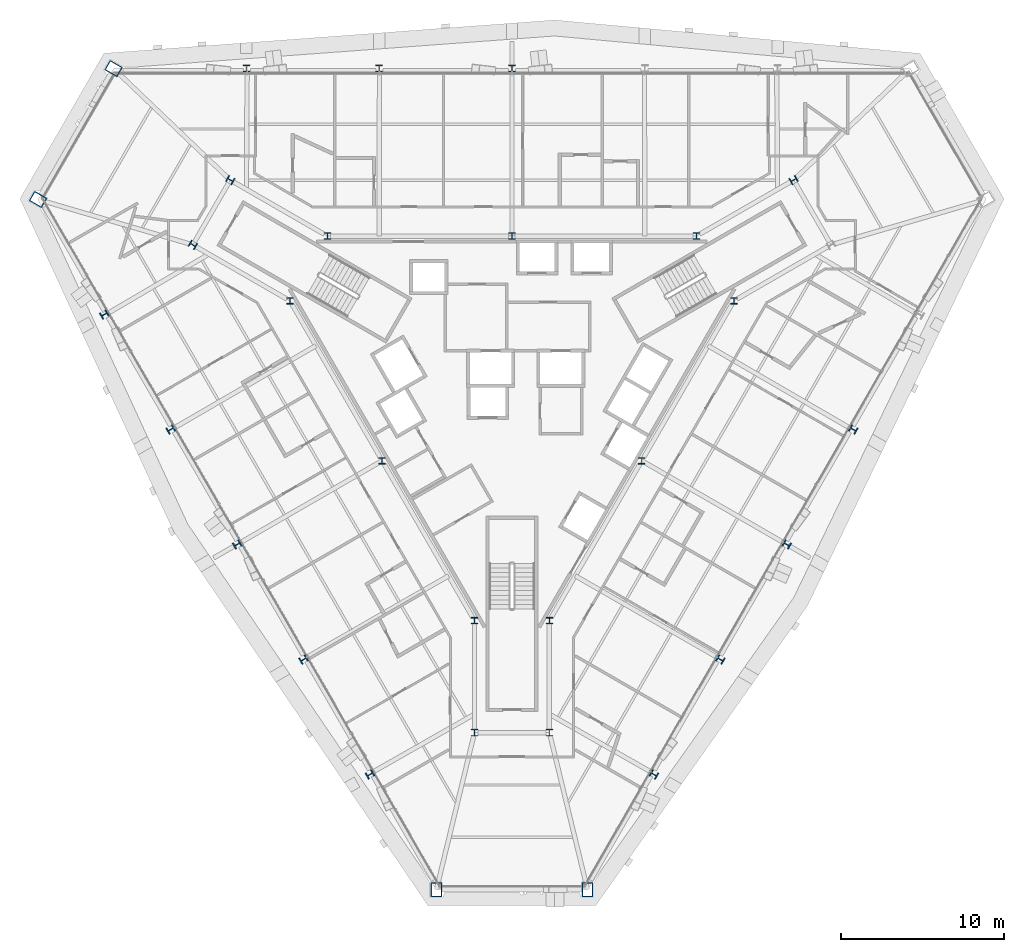
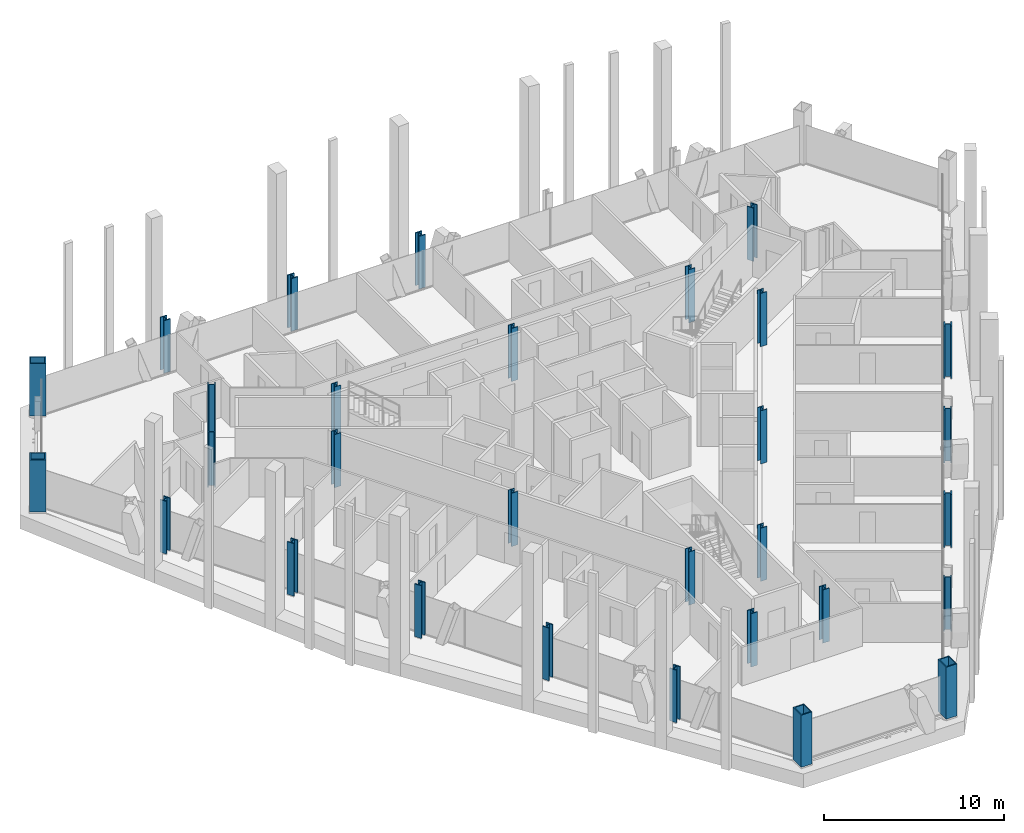
# One storey, part 1 of 19: 30 columns.
"""IFC4 building model written with IfcOpenShell, lengths in metres."""

from ifc_helpers import new_model, si_unit, direction, frame, origin, origin_2d, place, context, subcontext, project, spatial, hollow_rectangle, i_section, extrude, material, material_profile, profile_set, type_object, element, save


model = new_model("IFC4")

# Units and contexts
model_context = context("Model", 3, precision=1e-05, world=origin(), true_north=direction((0.0, 1.0)))
body_context = subcontext(model_context, "Body", "Model", "MODEL_VIEW")
ifc_project = project(units=[si_unit("LENGTHUNIT", "METRE"), si_unit("AREAUNIT", "SQUARE_METRE"), si_unit("VOLUMEUNIT", "CUBIC_METRE"), si_unit("PLANEANGLEUNIT", "RADIAN"), si_unit("MASSUNIT", "GRAM", prefix="KILO")], contexts=[model_context])

# Site, building, storey
site_placement = place(None, origin())
site = spatial("IfcSite", under=ifc_project, at=site_placement, CompositionType="ELEMENT")
building_placement = place(site_placement, origin())
building = spatial("IfcBuilding", under=site, at=building_placement, Name="Verrane Prism Tower", CompositionType="ELEMENT")
storey_placement = place(building_placement, frame((0.0, 0.0, 121.60009765625)))
storey = spatial("IfcBuildingStorey", under=building, at=storey_placement, Name="L29", CompositionType="ELEMENT", Elevation=121.60009765625)

# Columns
ifc_material_1 = material(Name="Steel A992", Category="steel")
ifc_material_profile_1 = material_profile(ifc_material_1, i_section(OverallWidth=0.411376953125, OverallDepth=0.434326171875, WebThickness=0.035888671875, FlangeThickness=0.057373046875, FilletRadius=0.01513671875, at=origin_2d()), Name="W14x311")
ifc_profile_set_1 = profile_set([ifc_material_profile_1], Name="Steel A992")
column_type_1 = type_object("IfcColumnType", Name="Core corner column W14x311", PredefinedType="COLUMN", material=ifc_profile_set_1)
for number, where, z_axis, x_axis, name in (
    (1, (17.300048828125, 12.639892578125, 0.0), (0.0, 0.0, 1.0), (0.5, -0.866025403784, 0.0), "Core corner column CK-NEp L29"),
    (2, (-17.300048828125, 12.639892578125, 0.0), (0.0, 0.0, 1.0), (0.5, 0.866025403784, 0.0), "Core corner column CK-NWm L29"),
    (3, (-19.60009765625, 8.659912109375, 0.0), (0.0, 0.0, 1.0), (0.5, 0.866025403784, 0.0), "Core corner column CK-NWp L29"),
    (4, (-2.300048828125, -21.300048828125, 0.0), (0.0, 0.0, 1.0), (-1.0, 0.0, 0.0), "Core corner column CK-Sm L29"),
    (5, (2.300048828125, -21.300048828125, 0.0), (0.0, 0.0, 1.0), (-1.0, 0.0, 0.0), "Core corner column CK-Sp L29"),
):
    element("IfcColumn", number, at=place(storey_placement, frame(where, z_axis=z_axis, x_axis=x_axis)), inside=storey, type_object=column_type_1, Name=name, PredefinedType="COLUMN", context=body_context, shape_type="SweptSolid", body=[
        extrude(i_section(OverallWidth=0.411376953125, OverallDepth=0.434326171875, WebThickness=0.035888671875, FlangeThickness=0.057373046875, FilletRadius=0.01513671875, at=origin_2d()), origin(), (0.0, 0.0, 1.0), 3.599853515625),
    ])
ifc_material_2 = material(Name="Steel A992", Category="steel")
ifc_material_profile_2 = material_profile(ifc_material_2, i_section(OverallWidth=0.4013671875, OverallDepth=0.398681640625, WebThickness=0.02490234375, FlangeThickness=0.03955078125, FilletRadius=0.01513671875, at=origin_2d()), Name="W14x211")
ifc_profile_set_2 = profile_set([ifc_material_profile_2], Name="Steel A992")
column_type_2 = type_object("IfcColumnType", Name="Core side column W14x211", PredefinedType="COLUMN", material=ifc_profile_set_2)
for number, where, z_axis, x_axis, name in (
    (6, (13.6298828125, 5.219970703125, 0.0), (0.0, 0.0, 1.0), (1.0, 0.0, 0.0), "Core side column CC-NEm L29"),
    (7, (11.330078125, 9.199951171875, 0.0), (0.0, 0.0, 1.0), (1.0, 0.0, 0.0), "Core side column CC-NEp L29"),
    (8, (0.0, 9.199951171875, 0.0), (0.0, 0.0, 1.0), (1.0, 0.0, 0.0), "Core side column CC-N0 L29"),
    (9, (-11.330078125, 9.199951171875, 0.0), (0.0, 0.0, 1.0), (1.0, 0.0, 0.0), "Core side column CC-NWm L29"),
    (10, (-13.6298828125, 5.219970703125, 0.0), (0.0, 0.0, 1.0), (1.0, 0.0, 0.0), "Core side column CC-NWp L29"),
    (11, (-7.969970703125, -4.60009765625, 0.0), (0.0, 0.0, 1.0), (1.0, 0.0, 0.0), "Core side column CC-SW0 L29"),
    (12, (-2.300048828125, -14.419921875, 0.0), (0.0, 0.0, 1.0), (1.0, 0.0, 0.0), "Core side column CC-Sm L29"),
    (13, (2.300048828125, -14.419921875, 0.0), (0.0, 0.0, 1.0), (1.0, 0.0, 0.0), "Core side column CC-Sp L29"),
    (14, (7.969970703125, -4.60009765625, 0.0), (0.0, 0.0, 1.0), (1.0, 0.0, 0.0), "Core side column CC-SE0 L29"),
):
    element("IfcColumn", number, at=place(storey_placement, frame(where, z_axis=z_axis, x_axis=x_axis)), inside=storey, type_object=column_type_2, Name=name, PredefinedType="COLUMN", context=body_context, shape_type="SweptSolid", body=[
        extrude(i_section(OverallWidth=0.4013671875, OverallDepth=0.398681640625, WebThickness=0.02490234375, FlangeThickness=0.03955078125, FilletRadius=0.01513671875, at=origin_2d()), origin(), (0.0, 0.0, 1.0), 3.599853515625),
    ])
ifc_material_3 = material(Name="Steel A572 Grade 50", Category="steel")
ifc_material_profile_3 = material_profile(ifc_material_3, hollow_rectangle(XDim=0.699951171875, YDim=0.89990234375, WallThickness=0.06494140625, at=origin_2d()), Name="BOX 900x700x65")
ifc_profile_set_3 = profile_set([ifc_material_profile_3], Name="Steel A572 Grade 50")
column_type_3 = type_object("IfcColumnType", Name="Megacolumn BOX 900x700x65", PredefinedType="COLUMN", material=ifc_profile_set_3)
for number, where, z_axis, x_axis, name in (
    (15, (-24.469970703125, 19.489990234375, 0.074951171875), (0.0, 0.0, 1.0), (0.5, 0.866025403784, 0.0), "Megacolumn MC-NW.a L29"),
    (16, (-29.110107421875, 11.449951171875, 0.074951171875), (0.0, 0.0, 1.0), (0.5, 0.866025403784, 0.0), "Megacolumn MC-NW.b L29"),
    (17, (-4.639892578125, -30.93994140625, 0.074951171875), (0.0, 0.0, 1.0), (-1.0, 0.0, 0.0), "Megacolumn MC-S.a L29"),
    (18, (4.639892578125, -30.93994140625, 0.074951171875), (0.0, 0.0, 1.0), (-1.0, 0.0, 0.0), "Megacolumn MC-S.b L29"),
):
    element("IfcColumn", number, at=place(storey_placement, frame(where, z_axis=z_axis, x_axis=x_axis)), inside=storey, type_object=column_type_3, Name=name, PredefinedType="COLUMN", context=body_context, shape_type="SweptSolid", body=[
        extrude(hollow_rectangle(XDim=0.699951171875, YDim=0.89990234375, WallThickness=0.06494140625, at=origin_2d()), origin(), (0.0, 0.0, 1.0), 3.52490234375),
    ])
ifc_material_4 = material(Name="Steel A992", Category="steel")
ifc_material_profile_4 = material_profile(ifc_material_4, i_section(OverallWidth=0.419189453125, OverallDepth=0.45458984375, WebThickness=0.042236328125, FlangeThickness=0.067626953125, FilletRadius=0.01513671875, at=origin_2d()), Name="W14x370")
ifc_profile_set_4 = profile_set([ifc_material_profile_4], Name="Steel A992")
column_type_4 = type_object("IfcColumnType", Name="Perimeter column W14x370", PredefinedType="COLUMN", material=ifc_profile_set_4)
column_1_placement = place(storey_placement, frame((0.0, 19.489990234375, 0.034912109375), z_axis=(0.0, 0.0, 1.0), x_axis=(1.0, 0.0, 0.0)))
element("IfcColumn", 19, at=column_1_placement, inside=storey, type_object=column_type_4, Name="Perimeter column PC-N3 L29", PredefinedType="COLUMN", context=body_context, shape_type="SweptSolid", body=[
    extrude(i_section(OverallWidth=0.419189453125, OverallDepth=0.45458984375, WebThickness=0.042236328125, FlangeThickness=0.067626953125, FilletRadius=0.01513671875, at=origin_2d()), origin(), (0.0, 0.0, 1.0), 3.56494140625),
])
column_2_placement = place(storey_placement, frame((-8.159912109375, 19.489990234375, 0.039794921875), z_axis=(0.0, 0.0, 1.0), x_axis=(1.0, 0.0, 0.0)))
element("IfcColumn", 20, at=column_2_placement, inside=storey, type_object=column_type_4, Name="Perimeter column PC-N4 L29", PredefinedType="COLUMN", context=body_context, shape_type="SweptSolid", body=[
    extrude(i_section(OverallWidth=0.419189453125, OverallDepth=0.45458984375, WebThickness=0.042236328125, FlangeThickness=0.067626953125, FilletRadius=0.01513671875, at=origin_2d()), origin(), (0.0, 0.0, 1.0), 3.56005859375),
])
for number, where, z_axis, x_axis, name in (
    (21, (-16.31005859375, 19.489990234375, 0.044921875), (0.0, 0.0, 1.0), (1.0, 0.0, 0.0), "Perimeter column PC-N5 L29"),
    (22, (-25.0400390625, 4.3798828125, 0.044921875), (0.0, 0.0, 1.0), (-0.5, 0.866025403784, 0.0), "Perimeter column PC-SW1 L29"),
):
    element("IfcColumn", number, at=place(storey_placement, frame(where, z_axis=z_axis, x_axis=x_axis)), inside=storey, type_object=column_type_4, Name=name, PredefinedType="COLUMN", context=body_context, shape_type="SweptSolid", body=[
        extrude(i_section(OverallWidth=0.419189453125, OverallDepth=0.45458984375, WebThickness=0.042236328125, FlangeThickness=0.067626953125, FilletRadius=0.01513671875, at=origin_2d()), origin(), (0.0, 0.0, 1.0), 3.554931640625),
    ])
column_3_placement = place(storey_placement, frame((-20.9599609375, -2.679931640625, 0.039794921875), z_axis=(0.0, 0.0, 1.0), x_axis=(-0.5, 0.866025403784, 0.0)))
element("IfcColumn", 23, at=column_3_placement, inside=storey, type_object=column_type_4, Name="Perimeter column PC-SW2 L29", PredefinedType="COLUMN", context=body_context, shape_type="SweptSolid", body=[
    extrude(i_section(OverallWidth=0.419189453125, OverallDepth=0.45458984375, WebThickness=0.042236328125, FlangeThickness=0.067626953125, FilletRadius=0.01513671875, at=origin_2d()), origin(), (0.0, 0.0, 1.0), 3.56005859375),
])
column_4_placement = place(storey_placement, frame((-16.8798828125, -9.739990234375, 0.034912109375), z_axis=(0.0, 0.0, 1.0), x_axis=(-0.5, 0.866025403784, 0.0)))
element("IfcColumn", 24, at=column_4_placement, inside=storey, type_object=column_type_4, Name="Perimeter column PC-SW3 L29", PredefinedType="COLUMN", context=body_context, shape_type="SweptSolid", body=[
    extrude(i_section(OverallWidth=0.419189453125, OverallDepth=0.45458984375, WebThickness=0.042236328125, FlangeThickness=0.067626953125, FilletRadius=0.01513671875, at=origin_2d()), origin(), (0.0, 0.0, 1.0), 3.56494140625),
])
column_5_placement = place(storey_placement, frame((-12.800048828125, -16.81005859375, 0.039794921875), z_axis=(0.0, 0.0, 1.0), x_axis=(-0.5, 0.866025403784, 0.0)))
element("IfcColumn", 25, at=column_5_placement, inside=storey, type_object=column_type_4, Name="Perimeter column PC-SW4 L29", PredefinedType="COLUMN", context=body_context, shape_type="SweptSolid", body=[
    extrude(i_section(OverallWidth=0.419189453125, OverallDepth=0.45458984375, WebThickness=0.042236328125, FlangeThickness=0.067626953125, FilletRadius=0.01513671875, at=origin_2d()), origin(), (0.0, 0.0, 1.0), 3.56005859375),
])
for number, where, z_axis, x_axis, name in (
    (26, (-8.719970703125, -23.8701171875, 0.044921875), (0.0, 0.0, 1.0), (-0.5, 0.866025403784, 0.0), "Perimeter column PC-SW5 L29"),
    (27, (8.719970703125, -23.8701171875, 0.044921875), (0.0, 0.0, 1.0), (-0.5, -0.866025403784, 0.0), "Perimeter column PC-SE1 L29"),
):
    element("IfcColumn", number, at=place(storey_placement, frame(where, z_axis=z_axis, x_axis=x_axis)), inside=storey, type_object=column_type_4, Name=name, PredefinedType="COLUMN", context=body_context, shape_type="SweptSolid", body=[
        extrude(i_section(OverallWidth=0.419189453125, OverallDepth=0.45458984375, WebThickness=0.042236328125, FlangeThickness=0.067626953125, FilletRadius=0.01513671875, at=origin_2d()), origin(), (0.0, 0.0, 1.0), 3.554931640625),
    ])
column_6_placement = place(storey_placement, frame((12.800048828125, -16.81005859375, 0.039794921875), z_axis=(0.0, 0.0, 1.0), x_axis=(-0.5, -0.866025403784, 0.0)))
element("IfcColumn", 28, at=column_6_placement, inside=storey, type_object=column_type_4, Name="Perimeter column PC-SE2 L29", PredefinedType="COLUMN", context=body_context, shape_type="SweptSolid", body=[
    extrude(i_section(OverallWidth=0.419189453125, OverallDepth=0.45458984375, WebThickness=0.042236328125, FlangeThickness=0.067626953125, FilletRadius=0.01513671875, at=origin_2d()), origin(), (0.0, 0.0, 1.0), 3.56005859375),
])
column_7_placement = place(storey_placement, frame((16.8798828125, -9.739990234375, 0.034912109375), z_axis=(0.0, 0.0, 1.0), x_axis=(-0.5, -0.866025403784, 0.0)))
element("IfcColumn", 29, at=column_7_placement, inside=storey, type_object=column_type_4, Name="Perimeter column PC-SE3 L29", PredefinedType="COLUMN", context=body_context, shape_type="SweptSolid", body=[
    extrude(i_section(OverallWidth=0.419189453125, OverallDepth=0.45458984375, WebThickness=0.042236328125, FlangeThickness=0.067626953125, FilletRadius=0.01513671875, at=origin_2d()), origin(), (0.0, 0.0, 1.0), 3.56494140625),
])
column_8_placement = place(storey_placement, frame((20.9599609375, -2.679931640625, 0.039794921875), z_axis=(0.0, 0.0, 1.0), x_axis=(-0.5, -0.866025403784, 0.0)))
element("IfcColumn", 30, at=column_8_placement, inside=storey, type_object=column_type_4, Name="Perimeter column PC-SE4 L29", PredefinedType="COLUMN", context=body_context, shape_type="SweptSolid", body=[
    extrude(i_section(OverallWidth=0.419189453125, OverallDepth=0.45458984375, WebThickness=0.042236328125, FlangeThickness=0.067626953125, FilletRadius=0.01513671875, at=origin_2d()), origin(), (0.0, 0.0, 1.0), 3.56005859375),
])

save(model, "model.ifc")
